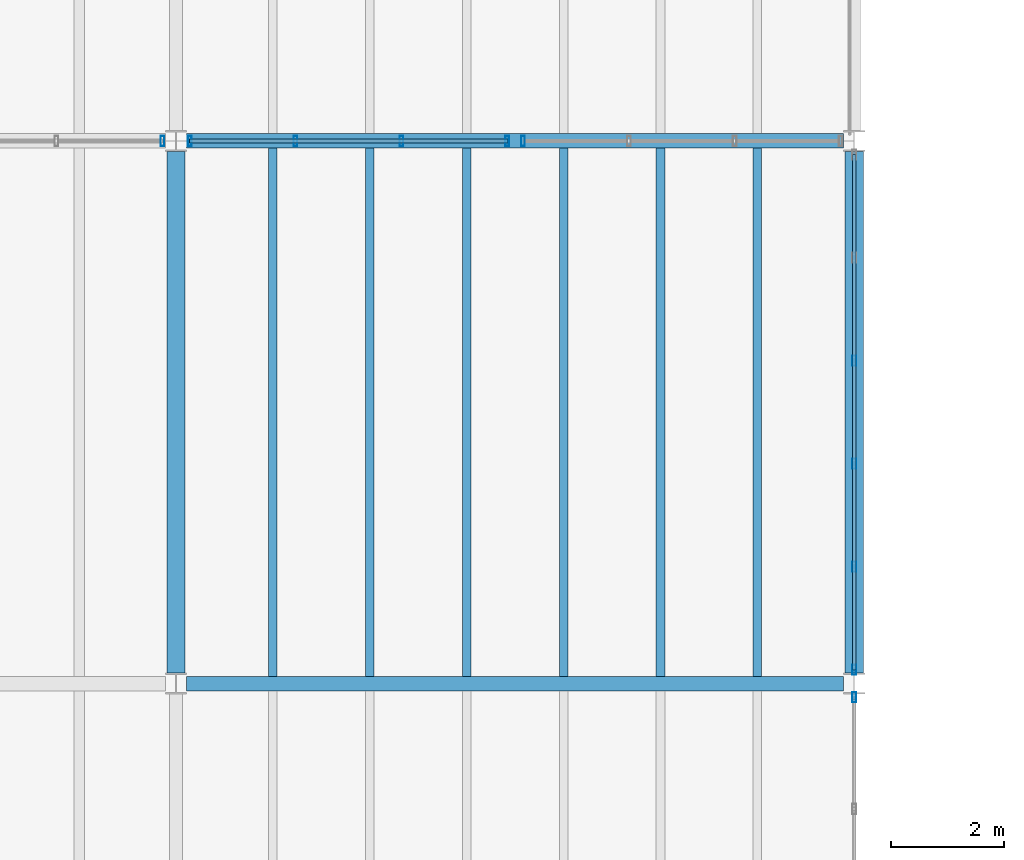
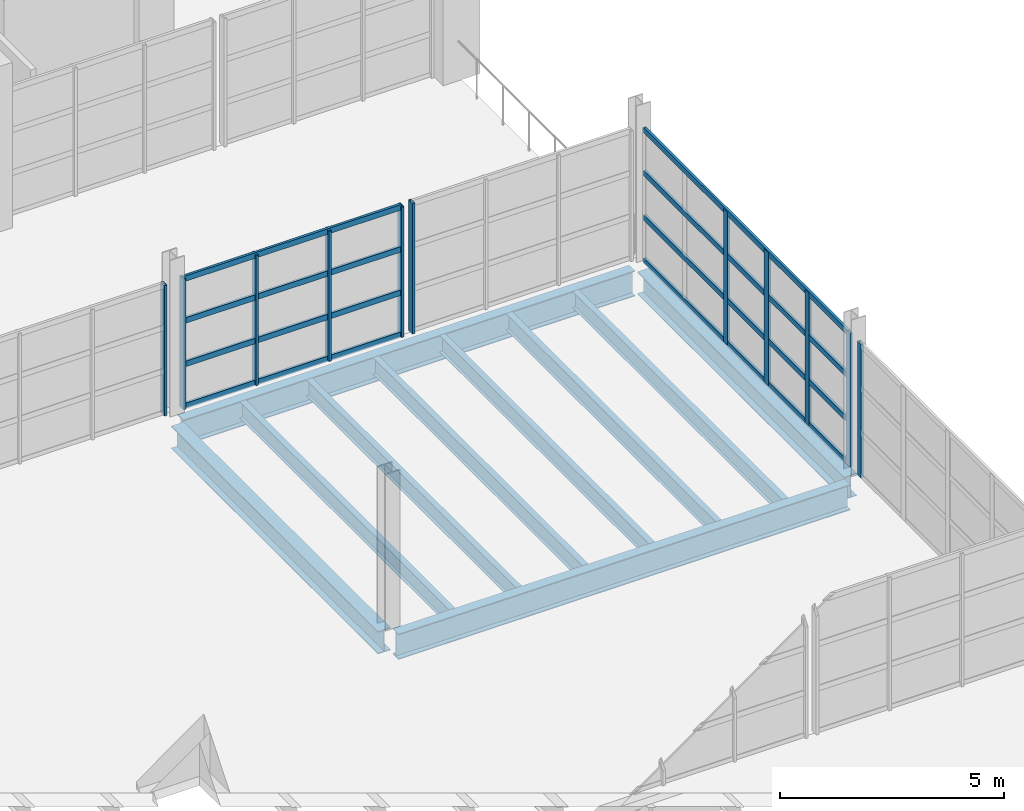
# One storey, part 28 of 114: 19 members, 10 beams, 5 elements without a shape of their own.
"""IFC4 building model written with IfcOpenShell, lengths in metres."""

from ifc_helpers import new_model, si_unit, direction, frame, origin, origin_2d, place, context, subcontext, project, spatial, hollow_rectangle, i_section, extrude, material, material_profile, profile_set, type_object, element, aggregate, save


model = new_model("IFC4")

# Units and contexts
model_context = context("Model", 3, precision=1e-05, world=origin(), true_north=direction((0.0, 1.0)))
body_context = subcontext(model_context, "Body", "Model", "MODEL_VIEW")
ifc_project = project(units=[si_unit("LENGTHUNIT", "METRE"), si_unit("AREAUNIT", "SQUARE_METRE"), si_unit("VOLUMEUNIT", "CUBIC_METRE"), si_unit("PLANEANGLEUNIT", "RADIAN"), si_unit("MASSUNIT", "GRAM", prefix="KILO")], contexts=[model_context])

# Site, building, storey
site_placement = place(None, origin())
site = spatial("IfcSite", under=ifc_project, at=site_placement, CompositionType="ELEMENT")
building_placement = place(site_placement, origin())
building = spatial("IfcBuilding", under=site, at=building_placement, Name="Kelmvaro Bay Concert Hall", CompositionType="ELEMENT")
storey_placement = place(building_placement, frame((0.0, 0.0, 4.800048828125)))
storey = spatial("IfcBuildingStorey", under=building, at=storey_placement, Name="L01", CompositionType="ELEMENT", Elevation=4.800048828125)

# Curtain wall, member
ifc_material_1 = material(Name="Anodised Aluminium and Low-E Insulated Glazing", Category="aluminium")
curtain_wall_type = type_object("IfcCurtainWallType", Name="West Link Courtyard Curtain Wall 4000", PredefinedType="USERDEFINED", material=ifc_material_1)
curtain_wall_1_placement = place(storey_placement, origin())
curtain_wall_1 = element("IfcCurtainWall", 1, at=curtain_wall_1_placement, inside=storey, type_object=curtain_wall_type, Name="Unitised Curtain Wall CW-L01-130", ObjectType="UNITISED GLAZING", PredefinedType="USERDEFINED")
ifc_material_2 = material(Name="Anodised Extruded Aluminium 6063-T6", Category="aluminium")
ifc_material_profile_1 = material_profile(ifc_material_2, hollow_rectangle(XDim=0.06494140625, YDim=0.179931640625, WallThickness=0.00390625, at=origin_2d()), Name="ALU-MUL-180X65")
ifc_profile_set_1 = profile_set([ifc_material_profile_1], Name="Anodised Extruded Aluminium 6063-T6")
member_type_1 = type_object("IfcMemberType", Name="Curtain Mullion ALU 180x65", PredefinedType="MULLION", material=ifc_profile_set_1)
member_1_placement = place(storey_placement, frame((60.0, 47.158447265625, 0.0), z_axis=(0.0, 0.0, 1.0), x_axis=(1.0, 0.0, 0.0)))
member_1 = element("IfcMember", 2, at=member_1_placement, type_object=member_type_1, Name="CW-L01-130 Mullion 01", PredefinedType="MULLION", context=body_context, shape_type="SweptSolid", body=[
    extrude(hollow_rectangle(XDim=0.06494140625, YDim=0.179931640625, WallThickness=0.00390625, at=origin_2d()), origin(), (0.0, 0.0, 1.0), 3.6279296875),
])
aggregate(curtain_wall_1, [member_1])

# Curtain wall, members
curtain_wall_2_placement = place(storey_placement, origin())
curtain_wall_2 = element("IfcCurtainWall", 3, at=curtain_wall_2_placement, inside=storey, type_object=curtain_wall_type, Name="Unitised Curtain Wall CW-L01-131", ObjectType="UNITISED GLAZING", PredefinedType="USERDEFINED")
member_2_placement = place(storey_placement, frame((60.0, 53.11181640625, 0.0), z_axis=(0.0, 0.0, 1.0), x_axis=(1.0, 0.0, 0.0)))
member_2 = element("IfcMember", 4, at=member_2_placement, type_object=member_type_1, Name="CW-L01-131 Mullion 03", PredefinedType="MULLION", context=body_context, shape_type="SweptSolid", body=[
    extrude(hollow_rectangle(XDim=0.06494140625, YDim=0.179931640625, WallThickness=0.00390625, at=origin_2d()), origin(), (0.0, 0.0, 1.0), 3.62890625),
])
member_3_placement = place(storey_placement, frame((60.0, 51.288330078125, 0.0), z_axis=(0.0, 0.0, 1.0), x_axis=(1.0, 0.0, 0.0)))
member_3 = element("IfcMember", 5, at=member_3_placement, type_object=member_type_1, Name="CW-L01-131 Mullion 04", PredefinedType="MULLION", context=body_context, shape_type="SweptSolid", body=[
    extrude(hollow_rectangle(XDim=0.06494140625, YDim=0.179931640625, WallThickness=0.00390625, at=origin_2d()), origin(), (0.0, 0.0, 1.0), 3.62890625),
])
member_4_placement = place(storey_placement, frame((60.0, 49.46484375, 0.0), z_axis=(0.0, 0.0, 1.0), x_axis=(1.0, 0.0, 0.0)))
member_4 = element("IfcMember", 6, at=member_4_placement, type_object=member_type_1, Name="CW-L01-131 Mullion 05", PredefinedType="MULLION", context=body_context, shape_type="SweptSolid", body=[
    extrude(hollow_rectangle(XDim=0.06494140625, YDim=0.179931640625, WallThickness=0.00390625, at=origin_2d()), origin(), (0.0, 0.0, 1.0), 3.62890625),
])
member_5_placement = place(storey_placement, frame((60.0, 47.6416015625, 0.0), z_axis=(0.0, 0.0, 1.0), x_axis=(1.0, 0.0, 0.0)))
member_5 = element("IfcMember", 7, at=member_5_placement, type_object=member_type_1, Name="CW-L01-131 Mullion 06", PredefinedType="MULLION", context=body_context, shape_type="SweptSolid", body=[
    extrude(hollow_rectangle(XDim=0.06494140625, YDim=0.179931640625, WallThickness=0.00390625, at=origin_2d()), origin(), (0.0, 0.0, 1.0), 3.62890625),
])

# Curtain wall, member
curtain_wall_3_placement = place(storey_placement, origin())
curtain_wall_3 = element("IfcCurtainWall", 8, at=curtain_wall_3_placement, inside=storey, type_object=curtain_wall_type, Name="Unitised Curtain Wall CW-L01-139", ObjectType="UNITISED GLAZING", PredefinedType="USERDEFINED")
member_6_placement = place(storey_placement, frame((47.758544921875, 57.0, 0.0), z_axis=(0.0, 0.0, 1.0), x_axis=(1.0, 0.0, 0.0)))
member_6 = element("IfcMember", 9, at=member_6_placement, type_object=member_type_1, Name="CW-L01-139 Mullion 04", PredefinedType="MULLION", context=body_context, shape_type="SweptSolid", body=[
    extrude(hollow_rectangle(XDim=0.06494140625, YDim=0.179931640625, WallThickness=0.00390625, at=origin_2d()), origin(), (0.0, 0.0, 1.0), 3.546875),
])
aggregate(curtain_wall_3, [member_6])

# Curtain wall, members
curtain_wall_4_placement = place(storey_placement, origin())
curtain_wall_4 = element("IfcCurtainWall", 10, at=curtain_wall_4_placement, inside=storey, type_object=curtain_wall_type, Name="Unitised Curtain Wall CW-L01-140", ObjectType="UNITISED GLAZING", PredefinedType="USERDEFINED")
member_7_placement = place(storey_placement, frame((48.241455078125, 57.0, 0.0), z_axis=(0.0, 0.0, 1.0), x_axis=(1.0, 0.0, 0.0)))
member_7 = element("IfcMember", 11, at=member_7_placement, type_object=member_type_1, Name="CW-L01-140 Mullion 01", PredefinedType="MULLION", context=body_context, shape_type="SweptSolid", body=[
    extrude(hollow_rectangle(XDim=0.06494140625, YDim=0.179931640625, WallThickness=0.00390625, at=origin_2d()), origin(), (0.0, 0.0, 1.0), 3.546875),
])
member_8_placement = place(storey_placement, frame((50.1142578125, 57.0, 0.0), z_axis=(0.0, 0.0, 1.0), x_axis=(1.0, 0.0, 0.0)))
member_8 = element("IfcMember", 12, at=member_8_placement, type_object=member_type_1, Name="CW-L01-140 Mullion 02", PredefinedType="MULLION", context=body_context, shape_type="SweptSolid", body=[
    extrude(hollow_rectangle(XDim=0.06494140625, YDim=0.179931640625, WallThickness=0.00390625, at=origin_2d()), origin(), (0.0, 0.0, 1.0), 3.546875),
])
member_9_placement = place(storey_placement, frame((51.9873046875, 57.0, 0.0), z_axis=(0.0, 0.0, 1.0), x_axis=(1.0, 0.0, 0.0)))
member_9 = element("IfcMember", 13, at=member_9_placement, type_object=member_type_1, Name="CW-L01-140 Mullion 03", PredefinedType="MULLION", context=body_context, shape_type="SweptSolid", body=[
    extrude(hollow_rectangle(XDim=0.06494140625, YDim=0.179931640625, WallThickness=0.00390625, at=origin_2d()), origin(), (0.0, 0.0, 1.0), 3.546875),
])
member_10_placement = place(storey_placement, frame((53.860107421875, 57.0, 0.0), z_axis=(0.0, 0.0, 1.0), x_axis=(1.0, 0.0, 0.0)))
member_10 = element("IfcMember", 14, at=member_10_placement, type_object=member_type_1, Name="CW-L01-140 Mullion 04", PredefinedType="MULLION", context=body_context, shape_type="SweptSolid", body=[
    extrude(hollow_rectangle(XDim=0.06494140625, YDim=0.179931640625, WallThickness=0.00390625, at=origin_2d()), origin(), (0.0, 0.0, 1.0), 3.546875),
])

# Curtain wall, member
curtain_wall_5_placement = place(storey_placement, origin())
curtain_wall_5 = element("IfcCurtainWall", 15, at=curtain_wall_5_placement, inside=storey, type_object=curtain_wall_type, Name="Unitised Curtain Wall CW-L01-141", ObjectType="UNITISED GLAZING", PredefinedType="USERDEFINED")
member_11_placement = place(storey_placement, frame((54.139892578125, 57.0, 0.0), z_axis=(0.0, 0.0, 1.0), x_axis=(1.0, 0.0, 0.0)))
member_11 = element("IfcMember", 16, at=member_11_placement, type_object=member_type_1, Name="CW-L01-141 Mullion 01", PredefinedType="MULLION", context=body_context, shape_type="SweptSolid", body=[
    extrude(hollow_rectangle(XDim=0.06494140625, YDim=0.179931640625, WallThickness=0.00390625, at=origin_2d()), origin(), (0.0, 0.0, 1.0), 3.546875),
])
aggregate(curtain_wall_5, [member_11])

# Member
ifc_material_3 = material(Name="Anodised Extruded Aluminium 6063-T6", Category="aluminium")
ifc_material_profile_2 = material_profile(ifc_material_3, hollow_rectangle(XDim=0.06494140625, YDim=0.14990234375, WallThickness=0.00390625, at=origin_2d()), Name="ALU-TRN-150X65")
ifc_profile_set_2 = profile_set([ifc_material_profile_2], Name="Anodised Extruded Aluminium 6063-T6")
member_type_2 = type_object("IfcMemberType", Name="Curtain Transom ALU 150x65", PredefinedType="USERDEFINED", material=ifc_profile_set_2)
member_12_placement = place(storey_placement, frame((60.0, 56.758544921875, 0.0400390625), z_axis=(0.0, -1.0, 0.0), x_axis=(1.0, 0.0, 0.0)))
member_12 = element("IfcMember", 17, at=member_12_placement, type_object=member_type_2, Name="CW-L01-131 Transom 01", ObjectType="TRANSOM", PredefinedType="USERDEFINED", context=body_context, shape_type="SweptSolid", body=[
    extrude(hollow_rectangle(XDim=0.06494140625, YDim=0.14990234375, WallThickness=0.00390625, at=origin_2d()), origin(), (0.0, 0.0, 1.0), 9.116943359375),
])

member_13_placement = place(storey_placement, frame((60.0, 56.758544921875, 1.209716796875), z_axis=(0.0, -1.0, 0.0), x_axis=(1.0, 0.0, 0.0)))
member_13 = element("IfcMember", 18, at=member_13_placement, type_object=member_type_2, Name="CW-L01-131 Transom 02", ObjectType="TRANSOM", PredefinedType="USERDEFINED", context=body_context, shape_type="SweptSolid", body=[
    extrude(hollow_rectangle(XDim=0.06494140625, YDim=0.14990234375, WallThickness=0.00390625, at=origin_2d()), origin(), (0.0, 0.0, 1.0), 9.116943359375),
])

member_14_placement = place(storey_placement, frame((60.0, 56.758544921875, 2.419189453125), z_axis=(0.0, -1.0, 0.0), x_axis=(1.0, 0.0, 0.0)))
member_14 = element("IfcMember", 19, at=member_14_placement, type_object=member_type_2, Name="CW-L01-131 Transom 03", ObjectType="TRANSOM", PredefinedType="USERDEFINED", context=body_context, shape_type="SweptSolid", body=[
    extrude(hollow_rectangle(XDim=0.06494140625, YDim=0.14990234375, WallThickness=0.00390625, at=origin_2d()), origin(), (0.0, 0.0, 1.0), 9.116943359375),
])

member_15_placement = place(storey_placement, frame((60.0, 56.758544921875, 3.5888671875), z_axis=(0.0, -1.0, 0.0), x_axis=(1.0, 0.0, 0.0)))
member_15 = element("IfcMember", 20, at=member_15_placement, type_object=member_type_2, Name="CW-L01-131 Transom 04", ObjectType="TRANSOM", PredefinedType="USERDEFINED", context=body_context, shape_type="SweptSolid", body=[
    extrude(hollow_rectangle(XDim=0.06494140625, YDim=0.14990234375, WallThickness=0.00390625, at=origin_2d()), origin(), (0.0, 0.0, 1.0), 9.116943359375),
])

aggregate(curtain_wall_2, [member_2, member_3, member_4, member_5, member_12, member_13, member_14, member_15])

member_16_placement = place(storey_placement, frame((48.241455078125, 57.0, 0.0400390625), z_axis=(1.0, 0.0, 0.0), x_axis=(0.0, 1.0, 0.0)))
member_16 = element("IfcMember", 21, at=member_16_placement, type_object=member_type_2, Name="CW-L01-140 Transom 01", ObjectType="TRANSOM", PredefinedType="USERDEFINED", context=body_context, shape_type="SweptSolid", body=[
    extrude(hollow_rectangle(XDim=0.06494140625, YDim=0.14990234375, WallThickness=0.00390625, at=origin_2d()), origin(), (0.0, 0.0, 1.0), 5.61865234375),
])

member_17_placement = place(storey_placement, frame((48.241455078125, 57.0, 1.182373046875), z_axis=(1.0, 0.0, 0.0), x_axis=(0.0, 1.0, 0.0)))
member_17 = element("IfcMember", 22, at=member_17_placement, type_object=member_type_2, Name="CW-L01-140 Transom 02", ObjectType="TRANSOM", PredefinedType="USERDEFINED", context=body_context, shape_type="SweptSolid", body=[
    extrude(hollow_rectangle(XDim=0.06494140625, YDim=0.14990234375, WallThickness=0.00390625, at=origin_2d()), origin(), (0.0, 0.0, 1.0), 5.61865234375),
])

member_18_placement = place(storey_placement, frame((48.241455078125, 57.0, 2.36474609375), z_axis=(1.0, 0.0, 0.0), x_axis=(0.0, 1.0, 0.0)))
member_18 = element("IfcMember", 23, at=member_18_placement, type_object=member_type_2, Name="CW-L01-140 Transom 03", ObjectType="TRANSOM", PredefinedType="USERDEFINED", context=body_context, shape_type="SweptSolid", body=[
    extrude(hollow_rectangle(XDim=0.06494140625, YDim=0.14990234375, WallThickness=0.00390625, at=origin_2d()), origin(), (0.0, 0.0, 1.0), 5.61865234375),
])

member_19_placement = place(storey_placement, frame((48.241455078125, 57.0, 3.5068359375), z_axis=(1.0, 0.0, 0.0), x_axis=(0.0, 1.0, 0.0)))
member_19 = element("IfcMember", 24, at=member_19_placement, type_object=member_type_2, Name="CW-L01-140 Transom 04", ObjectType="TRANSOM", PredefinedType="USERDEFINED", context=body_context, shape_type="SweptSolid", body=[
    extrude(hollow_rectangle(XDim=0.06494140625, YDim=0.14990234375, WallThickness=0.00390625, at=origin_2d()), origin(), (0.0, 0.0, 1.0), 5.61865234375),
])

aggregate(curtain_wall_4, [member_7, member_8, member_9, member_10, member_16, member_17, member_18, member_19])

# Beams
ifc_material_4 = material(Name="Steel ASTM A992 Grade 50", Category="steel")
ifc_material_profile_3 = material_profile(ifc_material_4, i_section(OverallWidth=0.152099609375, OverallDepth=0.455078125, WebThickness=0.008056640625, FlangeThickness=0.01318359375, at=origin_2d()), Name="W18X40")
ifc_profile_set_3 = profile_set([ifc_material_profile_3], Name="Steel ASTM A992 Grade 50")
beam_type_1 = type_object("IfcBeamType", Name="Foyer Concourse Floor Joist W18x40", PredefinedType="JOIST", material=ifc_profile_set_3)
for number, where, z_axis, x_axis, name in (
    (25, (49.71435546875, 47.528076171875, -0.4775390625), (0.0, 1.0, 0.0), (-1.0, 0.0, 0.0), "L01 Floor Joist JST-L01-0484"),
    (26, (51.4287109375, 47.528076171875, -0.4775390625), (0.0, 1.0, 0.0), (-1.0, 0.0, 0.0), "L01 Floor Joist JST-L01-0485"),
    (27, (53.142822265625, 47.528076171875, -0.4775390625), (0.0, 1.0, 0.0), (-1.0, 0.0, 0.0), "L01 Floor Joist JST-L01-0486"),
    (28, (54.857177734375, 47.528076171875, -0.4775390625), (0.0, 1.0, 0.0), (-1.0, 0.0, 0.0), "L01 Floor Joist JST-L01-0487"),
    (29, (56.5712890625, 47.528076171875, -0.4775390625), (0.0, 1.0, 0.0), (-1.0, 0.0, 0.0), "L01 Floor Joist JST-L01-0488"),
    (30, (58.28564453125, 47.528076171875, -0.4775390625), (0.0, 1.0, 0.0), (-1.0, 0.0, 0.0), "L01 Floor Joist JST-L01-0489"),
):
    element("IfcBeam", number, at=place(storey_placement, frame(where, z_axis=z_axis, x_axis=x_axis)), inside=storey, type_object=beam_type_1, Name=name, PredefinedType="JOIST", context=body_context, shape_type="SweptSolid", body=[
        extrude(i_section(OverallWidth=0.152099609375, OverallDepth=0.455078125, WebThickness=0.008056640625, FlangeThickness=0.01318359375, at=origin_2d()), origin(), (0.0, 0.0, 1.0), 9.343994140625),
    ])
ifc_material_5 = material(Name="Steel ASTM A992 Grade 50", Category="steel")
ifc_material_profile_4 = material_profile(ifc_material_5, i_section(OverallWidth=0.323974609375, OverallDepth=0.611083984375, WebThickness=0.0126953125, FlangeThickness=0.01904296875, at=origin_2d()), Name="W24X104")
ifc_profile_set_4 = profile_set([ifc_material_profile_4], Name="Steel ASTM A992 Grade 50")
beam_type_2 = type_object("IfcBeamType", Name="Foyer Frame Girder W24x104", PredefinedType="BEAM", material=ifc_profile_set_4)
for number, where, z_axis, x_axis, name in (
    (31, (48.0, 47.58642578125, -0.5556640625), (0.0, 1.0, 0.0), (-1.0, 0.0, 0.0), "L01 Girder BM-L01-NS-0152"),
    (32, (60.0, 47.58642578125, -0.5556640625), (0.0, 1.0, 0.0), (-1.0, 0.0, 0.0), "L01 Girder BM-L01-NS-0161"),
):
    element("IfcBeam", number, at=place(storey_placement, frame(where, z_axis=z_axis, x_axis=x_axis)), inside=storey, type_object=beam_type_2, Name=name, PredefinedType="BEAM", context=body_context, shape_type="SweptSolid", body=[
        extrude(i_section(OverallWidth=0.323974609375, OverallDepth=0.611083984375, WebThickness=0.0126953125, FlangeThickness=0.01904296875, at=origin_2d()), origin(), (0.0, 0.0, 1.0), 9.22705078125),
    ])
ifc_material_6 = material(Name="Steel ASTM A992 Grade 50", Category="steel")
ifc_material_profile_5 = material_profile(ifc_material_6, i_section(OverallWidth=0.256103515625, OverallDepth=0.693115234375, WebThickness=0.014404296875, FlangeThickness=0.023681640625, at=origin_2d()), Name="W27X114")
ifc_profile_set_5 = profile_set([ifc_material_profile_5], Name="Steel ASTM A992 Grade 50")
beam_type_3 = type_object("IfcBeamType", Name="Foyer Primary Girder W27x114", PredefinedType="BEAM", material=ifc_profile_set_5)
for number, where, z_axis, x_axis, name in (
    (33, (48.1865234375, 47.39990234375, -0.596435546875), (1.0, 0.0, 0.0), (0.0, 1.0, 0.0), "L01 Girder BM-L01-EW-0062"),
    (34, (48.1865234375, 57.0, -0.596435546875), (1.0, 0.0, 0.0), (0.0, 1.0, 0.0), "L01 Girder BM-L01-EW-0069"),
):
    element("IfcBeam", number, at=place(storey_placement, frame(where, z_axis=z_axis, x_axis=x_axis)), inside=storey, type_object=beam_type_3, Name=name, PredefinedType="BEAM", context=body_context, shape_type="SweptSolid", body=[
        extrude(i_section(OverallWidth=0.256103515625, OverallDepth=0.693115234375, WebThickness=0.014404296875, FlangeThickness=0.023681640625, at=origin_2d()), origin(), (0.0, 0.0, 1.0), 11.626953125),
    ])

save(model, "model.ifc")
